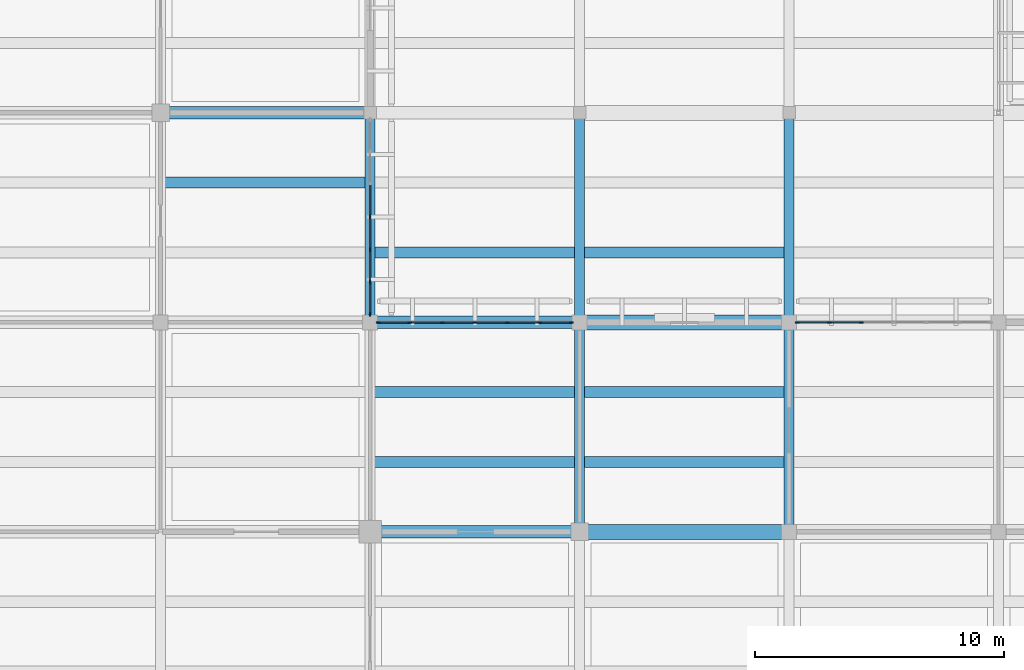
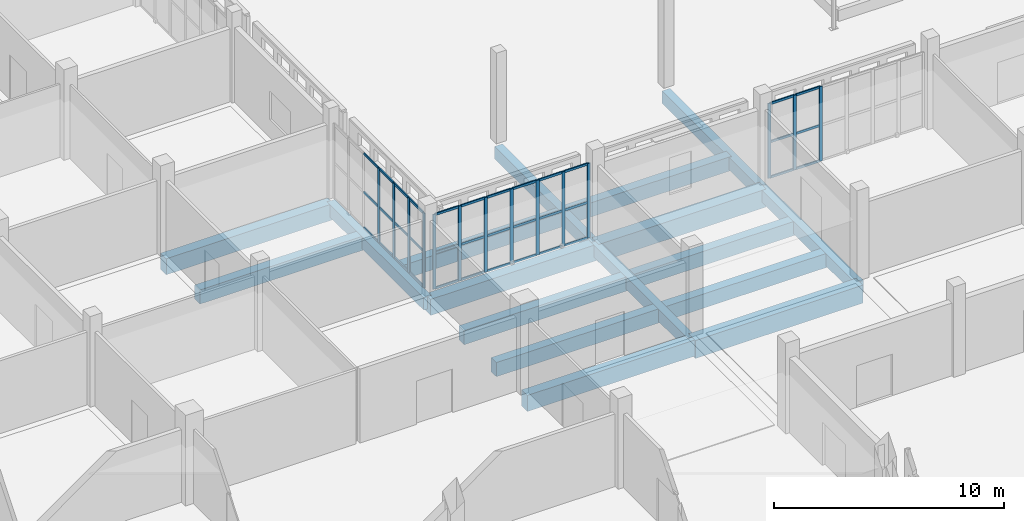
# One storey, part 6 of 129: 50 members, 17 beams, 3 elements without a shape of their own.
"""IFC4 building model written with IfcOpenShell, lengths in metres."""

import ifcopenshell
import ifcopenshell.guid

model = None  # the IFC model being written
_history = None  # IfcOwnerHistory: only IFC2X3 demands one
_inside = {}  # id of a spatial element -> (the spatial element, [elements in it])
_under = {}  # id of a project, library or spatial element -> (it, [spatial elements below it])
_declared = {}  # id of a project -> (the project, [libraries it declares])
_typed = {}  # id of a type object -> (the type object, [elements of that type])
_made_of = {}  # id of a material, layer set ... -> (it, [elements and type objects made of it])


def new_model(schema):
    """Start an empty IFC model of exactly this schema.

    Asked for "IFC4X3", IfcOpenShell would pick the latest addendum, in which some entities
    have other attributes; the version numbers below select the first issue.
    IFC2X3 requires an IfcOwnerHistory on every rooted entity: one is made here for all.
    """
    global model, _history
    if schema == "IFC4X3":
        model = ifcopenshell.file(schema_version=(4, 3, 0, 0))
    else:
        model = ifcopenshell.file(schema=schema)
    _inside.clear()
    _under.clear()
    _declared.clear()
    _typed.clear()
    _made_of.clear()
    _history = None
    if model.schema == "IFC2X3":
        org = make("IfcOrganization", Name="unknown")
        user = make(
            "IfcPersonAndOrganization",
            ThePerson=make("IfcPerson", FamilyName="unknown"),
            TheOrganization=org,
        )
        app = make(
            "IfcApplication",
            ApplicationDeveloper=org,
            Version="unknown",
            ApplicationFullName="unknown",
            ApplicationIdentifier="unknown",
        )
        _history = make(
            "IfcOwnerHistory",
            OwningUser=user,
            OwningApplication=app,
            ChangeAction="ADDED",
            CreationDate=0,
        )
    return model


def make(cls, **values):
    """One entity of the class cls with the attributes given. An attribute that is None is left unset."""
    return model.create_entity(
        cls, **{name: value for name, value in values.items() if value is not None}
    )


def rooted(cls, **values):
    """An entity with a GlobalId (a new one), such as an element, a storey or a relation."""
    return make(cls, GlobalId=ifcopenshell.guid.new(), OwnerHistory=_history, **values)


def si_unit(unit_type, name, prefix=None):
    """IfcSIUnit, for example si_unit("LENGTHUNIT", "METRE", prefix="MILLI")."""
    return make("IfcSIUnit", UnitType=unit_type, Prefix=prefix, Name=name)


def assignment(units):
    """IfcUnitAssignment: the units of a project."""
    return None if units is None else make("IfcUnitAssignment", Units=units)


def point(xyz):
    """IfcCartesianPoint."""
    return None if xyz is None else make("IfcCartesianPoint", Coordinates=xyz)


def direction(xyz):
    """IfcDirection."""
    return None if xyz is None else make("IfcDirection", DirectionRatios=xyz)


def frame(location, z_axis=None, x_axis=None):
    """IfcAxis2Placement3D, a coordinate frame: its origin and axes. An axis left out is left unset."""
    return make(
        "IfcAxis2Placement3D",
        Location=point(location),
        Axis=direction(z_axis),
        RefDirection=direction(x_axis),
    )


def frame_2d(location, x_axis=None):
    """IfcAxis2Placement2D, a coordinate frame in the plane: its origin and x axis."""
    return make(
        "IfcAxis2Placement2D", Location=point(location), RefDirection=direction(x_axis)
    )


def origin():
    """The frame at (0, 0, 0) with its axes left unset."""
    return frame((0.0, 0.0, 0.0))


def origin_2d():
    """The frame at (0, 0) in the plane with its x axis left unset."""
    return frame_2d((0.0, 0.0))


def place(relative_to, where):
    """IfcLocalPlacement: puts the frame where relative to a parent placement (None: the world)."""
    return make(
        "IfcLocalPlacement", PlacementRelTo=relative_to, RelativePlacement=where
    )


def context(
    kind, dimensions, precision=None, world=None, true_north=None, identifier=None
):
    """IfcGeometricRepresentationContext, for example the 3D "Model" context."""
    return make(
        "IfcGeometricRepresentationContext",
        ContextIdentifier=identifier,
        ContextType=kind,
        CoordinateSpaceDimension=dimensions,
        Precision=precision,
        WorldCoordinateSystem=world,
        TrueNorth=true_north,
    )


def subcontext(parent, identifier, kind, view, scale=None):
    """IfcGeometricRepresentationSubContext, for example "Body" below "Model"."""
    return make(
        "IfcGeometricRepresentationSubContext",
        ContextIdentifier=identifier,
        ContextType=kind,
        ParentContext=parent,
        TargetScale=scale,
        TargetView=view,
    )


def project(units=None, contexts=None):
    """IfcProject with its units and contexts."""
    return rooted(
        "IfcProject",
        Name="project",
        RepresentationContexts=contexts,
        UnitsInContext=assignment(units),
    )


def spatial(cls, under=None, at=None, **own):
    """A site, building, storey or space (cls), placed at a placement, below another one or the project."""
    s = rooted(cls, ObjectPlacement=at, **own)
    if under is not None:
        _under.setdefault(under.id(), (under, []))[1].append(s)
    return s


def profile(cls, at=None, kind="AREA", **sizes):
    """A parametric profile (cls). Its sizes go by their IFC names, for example OverallWidth=200.0."""
    return make(cls, ProfileType=kind, Position=at, **sizes)


def rectangle(**sizes):
    """IfcRectangleProfileDef."""
    return profile("IfcRectangleProfileDef", **sizes)


def extrude(swept, where, along, depth):
    """IfcExtrudedAreaSolid: the profile swept, set in the frame where, extruded along a direction by depth."""
    return make(
        "IfcExtrudedAreaSolid",
        SweptArea=swept,
        Position=where,
        ExtrudedDirection=direction(along),
        Depth=depth,
    )


def shape(context_of_items, identifier, shape_type, items):
    """IfcShapeRepresentation: the items that make up one representation, for example the "Body"."""
    return make(
        "IfcShapeRepresentation",
        ContextOfItems=context_of_items,
        RepresentationIdentifier=identifier,
        RepresentationType=shape_type,
        Items=items,
    )


def material(Name=None, Category=None):
    """IfcMaterial."""
    return make("IfcMaterial", Name=Name, Category=Category)


def layer(
    of_material, thickness, ventilated=None, Name=None, Category=None, Priority=None
):
    """IfcMaterialLayer: one layer of a wall or slab, of a material (None: an air gap)."""
    return make(
        "IfcMaterialLayer",
        Material=of_material,
        LayerThickness=thickness,
        IsVentilated=ventilated,
        Name=Name,
        Category=Category,
        Priority=Priority,
    )


def layer_set(layers, Name=None):
    """IfcMaterialLayerSet."""
    return make("IfcMaterialLayerSet", MaterialLayers=layers, LayerSetName=Name)


def material_profile(
    of_material, cross_section, Name=None, Category=None, Priority=None
):
    """IfcMaterialProfile: a cross section and its material."""
    return make(
        "IfcMaterialProfile",
        Name=Name,
        Material=of_material,
        Profile=cross_section,
        Priority=Priority,
        Category=Category,
    )


def profile_set(profiles, Name=None, composite=None):
    """IfcMaterialProfileSet."""
    return make(
        "IfcMaterialProfileSet",
        Name=Name,
        MaterialProfiles=profiles,
        CompositeProfile=composite,
    )


def made_of(thing, what):
    """Note that an element or type object is made of a material, layer set ...; save() writes the relation."""
    if what is not None:
        _made_of.setdefault(what.id(), (what, []))[1].append(thing)
    return thing


def type_object(cls, material=None, **own):
    """A type object (cls), such as IfcWallType, which elements share."""
    return made_of(rooted(cls, **own), material)


def element(
    cls,
    number,
    at=None,
    inside=None,
    cuts=None,
    type_object=None,
    material=None,
    context=None,
    identifier="Body",
    shape_type=None,
    held_by="IfcProductDefinitionShape",
    body=None,
    shapes=None,
    **own,
):
    """One element of the class cls, such as IfcWall. Its Tag is "e" and its number.

    at: its placement. inside: the storey or other place that contains it. cuts: it is an
    opening in that element (IfcRelVoidsElement). A single representation is given by context,
    identifier, shape_type and body (its items); several are given by shapes. held_by: the class
    of the entity that holds the representations. save() writes the other relations.
    """
    e = rooted(cls, Tag="e%d" % number, ObjectPlacement=at, **own)
    if body is not None:
        shapes = [shape(context, identifier, shape_type, body)]
    if shapes is not None:
        e.Representation = make(held_by, Representations=shapes)
    if inside is not None:
        _inside.setdefault(inside.id(), (inside, []))[1].append(e)
    if cuts is not None:
        rooted(
            "IfcRelVoidsElement", RelatingBuildingElement=cuts, RelatedOpeningElement=e
        )
    if type_object is not None:
        _typed.setdefault(type_object.id(), (type_object, []))[1].append(e)
    return made_of(e, material)


def aggregate(whole, parts):
    """IfcRelAggregates: a whole, such as a stair, and the parts it consists of."""
    return rooted("IfcRelAggregates", RelatingObject=whole, RelatedObjects=parts)


def save(model, path):
    """Write the relations noted so far, then the file.

    IfcRelAggregates (storeys below a building ...), IfcRelContainedInSpatialStructure (elements
    in a storey), IfcRelDefinesByType, IfcRelAssociatesMaterial and IfcRelDeclares: one each for
    every whole, place, type object, material and project.
    """
    for whole, parts in _under.values():
        aggregate(whole, parts)
    for where, things in _inside.values():
        rooted(
            "IfcRelContainedInSpatialStructure",
            RelatedElements=things,
            RelatingStructure=where,
        )
    for kind, things in _typed.values():
        rooted("IfcRelDefinesByType", RelatedObjects=things, RelatingType=kind)
    for what, things in _made_of.values():
        rooted("IfcRelAssociatesMaterial", RelatedObjects=things, RelatingMaterial=what)
    for by, libraries in _declared.values():
        rooted("IfcRelDeclares", RelatingContext=by, RelatedDefinitions=libraries)
    model.write(path)


model = new_model("IFC4")

# Units and contexts
model_context = context("Model", 3, precision=1e-05, world=origin(), true_north=direction((0.0, 1.0)))
body_context = subcontext(model_context, "Body", "Model", "MODEL_VIEW")
ifc_project = project(units=[si_unit("LENGTHUNIT", "METRE"), si_unit("AREAUNIT", "SQUARE_METRE"), si_unit("VOLUMEUNIT", "CUBIC_METRE"), si_unit("PLANEANGLEUNIT", "RADIAN"), si_unit("MASSUNIT", "GRAM", prefix="KILO")], contexts=[model_context])

# Site, building, storey
site_placement = place(None, origin())
site = spatial("IfcSite", under=ifc_project, at=site_placement, CompositionType="ELEMENT")
building_placement = place(site_placement, origin())
building = spatial("IfcBuilding", under=site, at=building_placement, Name="Varnapada Polytechnic", CompositionType="ELEMENT")
storey_placement = place(building_placement, origin())
storey = spatial("IfcBuildingStorey", under=building, at=storey_placement, Name="L00", CompositionType="ELEMENT", Elevation=0.0)

# Beams
ifc_material_1 = material(Name="Concrete C40/50", Category="concrete")
ifc_material_profile_1 = material_profile(ifc_material_1, rectangle(XDim=0.449951171875, YDim=0.75, at=origin_2d()), Name="RC 450x750")
ifc_profile_set_1 = profile_set([ifc_material_profile_1], Name="Concrete C40/50")
beam_type_1 = type_object("IfcBeamType", Name="Basement/podium secondary beam BB-01 (RC 450x750)", PredefinedType="BEAM", material=ifc_profile_set_1)
for number, where, z_axis, x_axis, name in (
    (1, (33.679931640625, 47.60009765625, -0.675048828125), (1.0, 0.0, 0.0), (0.0, 1.0, 0.0), "L00 floor joist 5/6.2"),
    (2, (42.080078125, 36.39990234375, -0.675048828125), (1.0, 0.0, 0.0), (0.0, 1.0, 0.0), "L00 floor joist 6/5.1"),
    (3, (42.080078125, 39.199951171875, -0.675048828125), (1.0, 0.0, 0.0), (0.0, 1.0, 0.0), "L00 floor joist 6/5.2"),
    (4, (42.080078125, 44.800048828125, -0.675048828125), (1.0, 0.0, 0.0), (0.0, 1.0, 0.0), "L00 floor joist 6/6.1"),
    (5, (50.47998046875, 36.39990234375, -0.675048828125), (1.0, 0.0, 0.0), (0.0, 1.0, 0.0), "L00 floor joist 7/5.1"),
    (6, (50.47998046875, 39.199951171875, -0.675048828125), (1.0, 0.0, 0.0), (0.0, 1.0, 0.0), "L00 floor joist 7/5.2"),
    (7, (50.47998046875, 44.800048828125, -0.655029296875), (1.0, 0.0, 0.0), (0.0, 1.0, 0.0), "L00 floor joist 7/6.1"),
):
    element("IfcBeam", number, at=place(storey_placement, frame(where, z_axis=z_axis, x_axis=x_axis)), inside=storey, type_object=beam_type_1, Name=name, PredefinedType="BEAM", context=body_context, shape_type="SweptSolid", body=[
        extrude(rectangle(XDim=0.449951171875, YDim=0.75, at=origin_2d()), origin(), (0.0, 0.0, 1.0), 8.239990234375),
    ])

# Curtain wall, members
ifc_material_2 = material(Name="Double low-E laminated glass", Category="glass")
ifc_layer = layer(ifc_material_2, 0.159912109375)
ifc_layer_set = layer_set([ifc_layer], Name="Double low-E laminated glass")
curtain_wall_type = type_object("IfcCurtainWallType", Name="Curtain Wall CW-01", PredefinedType="NOTDEFINED", material=ifc_layer_set)
curtain_wall_1_placement = place(storey_placement, origin())
curtain_wall_1 = element("IfcCurtainWall", 8, at=curtain_wall_1_placement, inside=storey, type_object=curtain_wall_type, Name="L00 unitised curtain wall CW-01 (1)", PredefinedType="NOTDEFINED")
ifc_material_3 = material(Name="Anodised aluminium", Category="aluminium")
ifc_material_profile_2 = material_profile(ifc_material_3, rectangle(XDim=0.06005859375, YDim=0.159912109375, at=origin_2d()), Name="ALU M60x160")
ifc_profile_set_2 = profile_set([ifc_material_profile_2], Name="Anodised aluminium")
member_type_1 = type_object("IfcMemberType", Name="Mullion M-01", PredefinedType="MULLION", material=ifc_profile_set_2)
member_1_placement = place(storey_placement, frame((42.0, 46.22509765625, 0.0), z_axis=(0.0, 0.0, 1.0), x_axis=(1.0, 0.0, 0.0)))
member_1 = element("IfcMember", 9, at=member_1_placement, type_object=member_type_1, Name="CW-01 mullion 4", PredefinedType="MULLION", context=body_context, shape_type="SweptSolid", body=[
    extrude(rectangle(XDim=0.06005859375, YDim=0.159912109375, at=origin_2d()), origin(), (0.0, 0.0, 1.0), 3.9599609375),
])
member_2_placement = place(storey_placement, frame((42.0, 44.916748046875, 0.0), z_axis=(0.0, 0.0, 1.0), x_axis=(1.0, 0.0, 0.0)))
member_2 = element("IfcMember", 10, at=member_2_placement, type_object=member_type_1, Name="CW-01 mullion 5", PredefinedType="MULLION", context=body_context, shape_type="SweptSolid", body=[
    extrude(rectangle(XDim=0.06005859375, YDim=0.159912109375, at=origin_2d()), origin(), (0.0, 0.0, 1.0), 3.9599609375),
])
member_3_placement = place(storey_placement, frame((42.0, 43.6083984375, 0.0), z_axis=(0.0, 0.0, 1.0), x_axis=(1.0, 0.0, 0.0)))
member_3 = element("IfcMember", 11, at=member_3_placement, type_object=member_type_1, Name="CW-01 mullion 6", PredefinedType="MULLION", context=body_context, shape_type="SweptSolid", body=[
    extrude(rectangle(XDim=0.06005859375, YDim=0.159912109375, at=origin_2d()), origin(), (0.0, 0.0, 1.0), 3.9599609375),
])
member_4_placement = place(storey_placement, frame((42.0, 42.330078125, 0.0), z_axis=(0.0, 0.0, 1.0), x_axis=(1.0, 0.0, 0.0)))
member_4 = element("IfcMember", 12, at=member_4_placement, type_object=member_type_1, Name="CW-01 mullion 7", PredefinedType="MULLION", context=body_context, shape_type="SweptSolid", body=[
    extrude(rectangle(XDim=0.06005859375, YDim=0.159912109375, at=origin_2d()), origin(), (0.0, 0.0, 1.0), 3.9599609375),
])

curtain_wall_2_placement = place(storey_placement, origin())
curtain_wall_2 = element("IfcCurtainWall", 13, at=curtain_wall_2_placement, inside=storey, type_object=curtain_wall_type, Name="L00 unitised curtain wall CW-01 (4)", PredefinedType="NOTDEFINED")
member_5_placement = place(storey_placement, frame((42.330078125, 42.0, 0.0), z_axis=(0.0, 0.0, 1.0), x_axis=(0.0, 1.0, 0.0)))
member_5 = element("IfcMember", 14, at=member_5_placement, type_object=member_type_1, Name="CW-01 mullion 1", PredefinedType="MULLION", context=body_context, shape_type="SweptSolid", body=[
    extrude(rectangle(XDim=0.06005859375, YDim=0.159912109375, at=origin_2d()), origin(), (0.0, 0.0, 1.0), 3.9599609375),
])
member_6_placement = place(storey_placement, frame((43.60009765625, 42.0, 0.0), z_axis=(0.0, 0.0, 1.0), x_axis=(0.0, 1.0, 0.0)))
member_6 = element("IfcMember", 15, at=member_6_placement, type_object=member_type_1, Name="CW-01 mullion 2", PredefinedType="MULLION", context=body_context, shape_type="SweptSolid", body=[
    extrude(rectangle(XDim=0.06005859375, YDim=0.159912109375, at=origin_2d()), origin(), (0.0, 0.0, 1.0), 3.9599609375),
])
member_7_placement = place(storey_placement, frame((44.89990234375, 42.0, 0.0), z_axis=(0.0, 0.0, 1.0), x_axis=(0.0, 1.0, 0.0)))
member_7 = element("IfcMember", 16, at=member_7_placement, type_object=member_type_1, Name="CW-01 mullion 3", PredefinedType="MULLION", context=body_context, shape_type="SweptSolid", body=[
    extrude(rectangle(XDim=0.06005859375, YDim=0.159912109375, at=origin_2d()), origin(), (0.0, 0.0, 1.0), 3.9599609375),
])
member_8_placement = place(storey_placement, frame((46.199951171875, 42.0, 0.0), z_axis=(0.0, 0.0, 1.0), x_axis=(0.0, 1.0, 0.0)))
member_8 = element("IfcMember", 17, at=member_8_placement, type_object=member_type_1, Name="CW-01 mullion 4", PredefinedType="MULLION", context=body_context, shape_type="SweptSolid", body=[
    extrude(rectangle(XDim=0.06005859375, YDim=0.159912109375, at=origin_2d()), origin(), (0.0, 0.0, 1.0), 3.9599609375),
])
member_9_placement = place(storey_placement, frame((47.5, 42.0, 0.0), z_axis=(0.0, 0.0, 1.0), x_axis=(0.0, 1.0, 0.0)))
member_9 = element("IfcMember", 18, at=member_9_placement, type_object=member_type_1, Name="CW-01 mullion 5", PredefinedType="MULLION", context=body_context, shape_type="SweptSolid", body=[
    extrude(rectangle(XDim=0.06005859375, YDim=0.159912109375, at=origin_2d()), origin(), (0.0, 0.0, 1.0), 3.9599609375),
])
member_10_placement = place(storey_placement, frame((48.800048828125, 42.0, 0.0), z_axis=(0.0, 0.0, 1.0), x_axis=(0.0, 1.0, 0.0)))
member_10 = element("IfcMember", 19, at=member_10_placement, type_object=member_type_1, Name="CW-01 mullion 6", PredefinedType="MULLION", context=body_context, shape_type="SweptSolid", body=[
    extrude(rectangle(XDim=0.06005859375, YDim=0.159912109375, at=origin_2d()), origin(), (0.0, 0.0, 1.0), 3.9599609375),
])
member_11_placement = place(storey_placement, frame((50.070068359375, 42.0, 0.0), z_axis=(0.0, 0.0, 1.0), x_axis=(0.0, 1.0, 0.0)))
member_11 = element("IfcMember", 20, at=member_11_placement, type_object=member_type_1, Name="CW-01 mullion 7", PredefinedType="MULLION", context=body_context, shape_type="SweptSolid", body=[
    extrude(rectangle(XDim=0.06005859375, YDim=0.159912109375, at=origin_2d()), origin(), (0.0, 0.0, 1.0), 3.9599609375),
])

curtain_wall_3_placement = place(storey_placement, origin())
curtain_wall_3 = element("IfcCurtainWall", 21, at=curtain_wall_3_placement, inside=storey, type_object=curtain_wall_type, Name="L00 unitised curtain wall CW-01 (6)", PredefinedType="NOTDEFINED")
member_12_placement = place(storey_placement, frame((59.1298828125, 42.0, 0.0), z_axis=(0.0, 0.0, 1.0), x_axis=(0.0, 1.0, 0.0)))
member_12 = element("IfcMember", 22, at=member_12_placement, type_object=member_type_1, Name="CW-01 mullion 1", PredefinedType="MULLION", context=body_context, shape_type="SweptSolid", body=[
    extrude(rectangle(XDim=0.06005859375, YDim=0.159912109375, at=origin_2d()), origin(), (0.0, 0.0, 1.0), 3.9599609375),
])
member_13_placement = place(storey_placement, frame((60.39990234375, 42.0, 0.0), z_axis=(0.0, 0.0, 1.0), x_axis=(0.0, 1.0, 0.0)))
member_13 = element("IfcMember", 23, at=member_13_placement, type_object=member_type_1, Name="CW-01 mullion 2", PredefinedType="MULLION", context=body_context, shape_type="SweptSolid", body=[
    extrude(rectangle(XDim=0.06005859375, YDim=0.159912109375, at=origin_2d()), origin(), (0.0, 0.0, 1.0), 3.9599609375),
])
member_14_placement = place(storey_placement, frame((61.699951171875, 42.0, 0.0), z_axis=(0.0, 0.0, 1.0), x_axis=(0.0, 1.0, 0.0)))
member_14 = element("IfcMember", 24, at=member_14_placement, type_object=member_type_1, Name="CW-01 mullion 3", PredefinedType="MULLION", context=body_context, shape_type="SweptSolid", body=[
    extrude(rectangle(XDim=0.06005859375, YDim=0.159912109375, at=origin_2d()), origin(), (0.0, 0.0, 1.0), 3.9599609375),
])

# Beams
ifc_material_profile_3 = material_profile(ifc_material_1, rectangle(XDim=0.39990234375, YDim=0.64990234375, at=origin_2d()), Name="RC 400x650")
ifc_profile_set_3 = profile_set([ifc_material_profile_3], Name="Concrete C40/50")
beam_type_2 = type_object("IfcBeamType", Name="Podium framing beam BB-02 (RC 400x650)", PredefinedType="BEAM", material=ifc_profile_set_3)
for number, where, z_axis, x_axis, name in (
    (25, (42.0, 42.0, -0.625), (0.0, 1.0, 0.0), (-1.0, 0.0, 0.0), "L00 beam Y 6-7 at X6"),
    (26, (50.39990234375, 33.60009765625, -0.625), (0.0, 1.0, 0.0), (-1.0, 0.0, 0.0), "L00 beam Y 5-6 at X7"),
    (27, (50.39990234375, 42.0, -0.625), (0.0, 1.0, 0.0), (-1.0, 0.0, 0.0), "L00 beam Y 6-7 at X7"),
    (28, (58.800048828125, 33.60009765625, -0.625), (0.0, 1.0, 0.0), (-1.0, 0.0, 0.0), "L00 beam Y 5-6 at X8"),
    (29, (58.800048828125, 42.0, -0.625), (0.0, 1.0, 0.0), (-1.0, 0.0, 0.0), "L00 beam Y 6-7 at X8"),
):
    element("IfcBeam", number, at=place(storey_placement, frame(where, z_axis=z_axis, x_axis=x_axis)), inside=storey, type_object=beam_type_2, Name=name, PredefinedType="BEAM", context=body_context, shape_type="SweptSolid", body=[
        extrude(rectangle(XDim=0.39990234375, YDim=0.64990234375, at=origin_2d()), origin(), (0.0, 0.0, 1.0), 8.39990234375),
    ])
ifc_material_profile_4 = material_profile(ifc_material_1, rectangle(XDim=0.5, YDim=0.85009765625, at=origin_2d()), Name="RC 500x850")
ifc_profile_set_4 = profile_set([ifc_material_profile_4], Name="Concrete C40/50")
beam_type_3 = type_object("IfcBeamType", Name="Standard podium primary girder BG-02 (RC 500x850)", PredefinedType="T_BEAM", material=ifc_profile_set_4)
for number, where, z_axis, x_axis, name in (
    (30, (33.60009765625, 50.39990234375, -0.72509765625), (1.0, 0.0, 0.0), (0.0, 1.0, 0.0), "L00 beam X 5-6 at Y7"),
    (31, (42.0, 33.60009765625, -0.72509765625), (1.0, 0.0, 0.0), (0.0, 1.0, 0.0), "L00 beam X 6-7 at Y5"),
    (32, (42.0, 42.0, -0.72509765625), (1.0, 0.0, 0.0), (0.0, 1.0, 0.0), "L00 beam X 6-7 at Y6"),
):
    element("IfcBeam", number, at=place(storey_placement, frame(where, z_axis=z_axis, x_axis=x_axis)), inside=storey, type_object=beam_type_3, Name=name, PredefinedType="T_BEAM", context=body_context, shape_type="SweptSolid", body=[
        extrude(rectangle(XDim=0.5, YDim=0.85009765625, at=origin_2d()), origin(), (0.0, 0.0, 1.0), 8.39990234375),
    ])

# Member
ifc_material_profile_5 = material_profile(ifc_material_3, rectangle(XDim=0.06005859375, YDim=0.1201171875, at=origin_2d()), Name="ALU T60x120")
ifc_profile_set_5 = profile_set([ifc_material_profile_5], Name="Anodised aluminium")
member_type_2 = type_object("IfcMemberType", Name="Transom T-01", PredefinedType="USERDEFINED", material=ifc_profile_set_5)
member_15_placement = place(storey_placement, frame((42.0, 47.50341796875, 0.030029296875), z_axis=(0.0, -1.0, 0.0), x_axis=(1.0, 0.0, 0.0)))
member_15 = element("IfcMember", 33, at=member_15_placement, type_object=member_type_2, Name="CW-01 transom 3.1", ObjectType="TRANSOM", PredefinedType="USERDEFINED", context=body_context, shape_type="SweptSolid", body=[
    extrude(rectangle(XDim=0.06005859375, YDim=0.1201171875, at=origin_2d()), origin(), (0.0, 0.0, 1.0), 1.24853515625),
])

member_16_placement = place(storey_placement, frame((42.0, 47.50341796875, 1.90087890625), z_axis=(0.0, -1.0, 0.0), x_axis=(1.0, 0.0, 0.0)))
member_16 = element("IfcMember", 34, at=member_16_placement, type_object=member_type_2, Name="CW-01 transom 3.2", ObjectType="TRANSOM", PredefinedType="USERDEFINED", context=body_context, shape_type="SweptSolid", body=[
    extrude(rectangle(XDim=0.06005859375, YDim=0.1201171875, at=origin_2d()), origin(), (0.0, 0.0, 1.0), 1.24853515625),
])

member_17_placement = place(storey_placement, frame((42.0, 47.50341796875, 3.929931640625), z_axis=(0.0, -1.0, 0.0), x_axis=(1.0, 0.0, 0.0)))
member_17 = element("IfcMember", 35, at=member_17_placement, type_object=member_type_2, Name="CW-01 transom 3.3", ObjectType="TRANSOM", PredefinedType="USERDEFINED", context=body_context, shape_type="SweptSolid", body=[
    extrude(rectangle(XDim=0.06005859375, YDim=0.1201171875, at=origin_2d()), origin(), (0.0, 0.0, 1.0), 1.24853515625),
])

member_18_placement = place(storey_placement, frame((42.0, 46.195068359375, 0.030029296875), z_axis=(0.0, -1.0, 0.0), x_axis=(1.0, 0.0, 0.0)))
member_18 = element("IfcMember", 36, at=member_18_placement, type_object=member_type_2, Name="CW-01 transom 4.1", ObjectType="TRANSOM", PredefinedType="USERDEFINED", context=body_context, shape_type="SweptSolid", body=[
    extrude(rectangle(XDim=0.06005859375, YDim=0.1201171875, at=origin_2d()), origin(), (0.0, 0.0, 1.0), 1.248291015625),
])

member_19_placement = place(storey_placement, frame((42.0, 46.195068359375, 1.90087890625), z_axis=(0.0, -1.0, 0.0), x_axis=(1.0, 0.0, 0.0)))
member_19 = element("IfcMember", 37, at=member_19_placement, type_object=member_type_2, Name="CW-01 transom 4.2", ObjectType="TRANSOM", PredefinedType="USERDEFINED", context=body_context, shape_type="SweptSolid", body=[
    extrude(rectangle(XDim=0.06005859375, YDim=0.1201171875, at=origin_2d()), origin(), (0.0, 0.0, 1.0), 1.248291015625),
])

member_20_placement = place(storey_placement, frame((42.0, 46.195068359375, 3.929931640625), z_axis=(0.0, -1.0, 0.0), x_axis=(1.0, 0.0, 0.0)))
member_20 = element("IfcMember", 38, at=member_20_placement, type_object=member_type_2, Name="CW-01 transom 4.3", ObjectType="TRANSOM", PredefinedType="USERDEFINED", context=body_context, shape_type="SweptSolid", body=[
    extrude(rectangle(XDim=0.06005859375, YDim=0.1201171875, at=origin_2d()), origin(), (0.0, 0.0, 1.0), 1.248291015625),
])

member_21_placement = place(storey_placement, frame((42.0, 44.88671875, 0.030029296875), z_axis=(0.0, -1.0, 0.0), x_axis=(1.0, 0.0, 0.0)))
member_21 = element("IfcMember", 39, at=member_21_placement, type_object=member_type_2, Name="CW-01 transom 5.1", ObjectType="TRANSOM", PredefinedType="USERDEFINED", context=body_context, shape_type="SweptSolid", body=[
    extrude(rectangle(XDim=0.06005859375, YDim=0.1201171875, at=origin_2d()), origin(), (0.0, 0.0, 1.0), 1.248291015625),
])

member_22_placement = place(storey_placement, frame((42.0, 44.88671875, 1.90087890625), z_axis=(0.0, -1.0, 0.0), x_axis=(1.0, 0.0, 0.0)))
member_22 = element("IfcMember", 40, at=member_22_placement, type_object=member_type_2, Name="CW-01 transom 5.2", ObjectType="TRANSOM", PredefinedType="USERDEFINED", context=body_context, shape_type="SweptSolid", body=[
    extrude(rectangle(XDim=0.06005859375, YDim=0.1201171875, at=origin_2d()), origin(), (0.0, 0.0, 1.0), 1.248291015625),
])

member_23_placement = place(storey_placement, frame((42.0, 44.88671875, 3.929931640625), z_axis=(0.0, -1.0, 0.0), x_axis=(1.0, 0.0, 0.0)))
member_23 = element("IfcMember", 41, at=member_23_placement, type_object=member_type_2, Name="CW-01 transom 5.3", ObjectType="TRANSOM", PredefinedType="USERDEFINED", context=body_context, shape_type="SweptSolid", body=[
    extrude(rectangle(XDim=0.06005859375, YDim=0.1201171875, at=origin_2d()), origin(), (0.0, 0.0, 1.0), 1.248291015625),
])

member_24_placement = place(storey_placement, frame((42.0, 43.578369140625, 0.030029296875), z_axis=(0.0, -1.0, 0.0), x_axis=(1.0, 0.0, 0.0)))
member_24 = element("IfcMember", 42, at=member_24_placement, type_object=member_type_2, Name="CW-01 transom 6.1", ObjectType="TRANSOM", PredefinedType="USERDEFINED", context=body_context, shape_type="SweptSolid", body=[
    extrude(rectangle(XDim=0.06005859375, YDim=0.1201171875, at=origin_2d()), origin(), (0.0, 0.0, 1.0), 1.21826171875),
])

member_25_placement = place(storey_placement, frame((42.0, 43.578369140625, 1.90087890625), z_axis=(0.0, -1.0, 0.0), x_axis=(1.0, 0.0, 0.0)))
member_25 = element("IfcMember", 43, at=member_25_placement, type_object=member_type_2, Name="CW-01 transom 6.2", ObjectType="TRANSOM", PredefinedType="USERDEFINED", context=body_context, shape_type="SweptSolid", body=[
    extrude(rectangle(XDim=0.06005859375, YDim=0.1201171875, at=origin_2d()), origin(), (0.0, 0.0, 1.0), 1.21826171875),
])

member_26_placement = place(storey_placement, frame((42.0, 43.578369140625, 3.929931640625), z_axis=(0.0, -1.0, 0.0), x_axis=(1.0, 0.0, 0.0)))
member_26 = element("IfcMember", 44, at=member_26_placement, type_object=member_type_2, Name="CW-01 transom 6.3", ObjectType="TRANSOM", PredefinedType="USERDEFINED", context=body_context, shape_type="SweptSolid", body=[
    extrude(rectangle(XDim=0.06005859375, YDim=0.1201171875, at=origin_2d()), origin(), (0.0, 0.0, 1.0), 1.21826171875),
])

aggregate(curtain_wall_1, [member_1, member_2, member_3, member_4, member_15, member_16, member_17, member_18, member_19, member_20, member_21, member_22, member_23, member_24, member_25, member_26])

member_27_placement = place(storey_placement, frame((42.360107421875, 42.0, 0.030029296875), z_axis=(1.0, 0.0, 0.0), x_axis=(0.0, 1.0, 0.0)))
member_27 = element("IfcMember", 45, at=member_27_placement, type_object=member_type_2, Name="CW-01 transom 1.1", ObjectType="TRANSOM", PredefinedType="USERDEFINED", context=body_context, shape_type="SweptSolid", body=[
    extrude(rectangle(XDim=0.06005859375, YDim=0.1201171875, at=origin_2d()), origin(), (0.0, 0.0, 1.0), 1.2099609375),
])

member_28_placement = place(storey_placement, frame((42.360107421875, 42.0, 1.90087890625), z_axis=(1.0, 0.0, 0.0), x_axis=(0.0, 1.0, 0.0)))
member_28 = element("IfcMember", 46, at=member_28_placement, type_object=member_type_2, Name="CW-01 transom 1.2", ObjectType="TRANSOM", PredefinedType="USERDEFINED", context=body_context, shape_type="SweptSolid", body=[
    extrude(rectangle(XDim=0.06005859375, YDim=0.1201171875, at=origin_2d()), origin(), (0.0, 0.0, 1.0), 1.2099609375),
])

member_29_placement = place(storey_placement, frame((42.360107421875, 42.0, 3.929931640625), z_axis=(1.0, 0.0, 0.0), x_axis=(0.0, 1.0, 0.0)))
member_29 = element("IfcMember", 47, at=member_29_placement, type_object=member_type_2, Name="CW-01 transom 1.3", ObjectType="TRANSOM", PredefinedType="USERDEFINED", context=body_context, shape_type="SweptSolid", body=[
    extrude(rectangle(XDim=0.06005859375, YDim=0.1201171875, at=origin_2d()), origin(), (0.0, 0.0, 1.0), 1.2099609375),
])

member_30_placement = place(storey_placement, frame((43.6298828125, 42.0, 0.030029296875), z_axis=(1.0, 0.0, 0.0), x_axis=(0.0, 1.0, 0.0)))
member_30 = element("IfcMember", 48, at=member_30_placement, type_object=member_type_2, Name="CW-01 transom 2.1", ObjectType="TRANSOM", PredefinedType="USERDEFINED", context=body_context, shape_type="SweptSolid", body=[
    extrude(rectangle(XDim=0.06005859375, YDim=0.1201171875, at=origin_2d()), origin(), (0.0, 0.0, 1.0), 1.240234375),
])

member_31_placement = place(storey_placement, frame((43.6298828125, 42.0, 1.90087890625), z_axis=(1.0, 0.0, 0.0), x_axis=(0.0, 1.0, 0.0)))
member_31 = element("IfcMember", 49, at=member_31_placement, type_object=member_type_2, Name="CW-01 transom 2.2", ObjectType="TRANSOM", PredefinedType="USERDEFINED", context=body_context, shape_type="SweptSolid", body=[
    extrude(rectangle(XDim=0.06005859375, YDim=0.1201171875, at=origin_2d()), origin(), (0.0, 0.0, 1.0), 1.240234375),
])

member_32_placement = place(storey_placement, frame((43.6298828125, 42.0, 3.929931640625), z_axis=(1.0, 0.0, 0.0), x_axis=(0.0, 1.0, 0.0)))
member_32 = element("IfcMember", 50, at=member_32_placement, type_object=member_type_2, Name="CW-01 transom 2.3", ObjectType="TRANSOM", PredefinedType="USERDEFINED", context=body_context, shape_type="SweptSolid", body=[
    extrude(rectangle(XDim=0.06005859375, YDim=0.1201171875, at=origin_2d()), origin(), (0.0, 0.0, 1.0), 1.240234375),
])

member_33_placement = place(storey_placement, frame((44.929931640625, 42.0, 0.030029296875), z_axis=(1.0, 0.0, 0.0), x_axis=(0.0, 1.0, 0.0)))
member_33 = element("IfcMember", 51, at=member_33_placement, type_object=member_type_2, Name="CW-01 transom 3.1", ObjectType="TRANSOM", PredefinedType="USERDEFINED", context=body_context, shape_type="SweptSolid", body=[
    extrude(rectangle(XDim=0.06005859375, YDim=0.1201171875, at=origin_2d()), origin(), (0.0, 0.0, 1.0), 1.239990234375),
])

member_34_placement = place(storey_placement, frame((44.929931640625, 42.0, 1.90087890625), z_axis=(1.0, 0.0, 0.0), x_axis=(0.0, 1.0, 0.0)))
member_34 = element("IfcMember", 52, at=member_34_placement, type_object=member_type_2, Name="CW-01 transom 3.2", ObjectType="TRANSOM", PredefinedType="USERDEFINED", context=body_context, shape_type="SweptSolid", body=[
    extrude(rectangle(XDim=0.06005859375, YDim=0.1201171875, at=origin_2d()), origin(), (0.0, 0.0, 1.0), 1.239990234375),
])

member_35_placement = place(storey_placement, frame((44.929931640625, 42.0, 3.929931640625), z_axis=(1.0, 0.0, 0.0), x_axis=(0.0, 1.0, 0.0)))
member_35 = element("IfcMember", 53, at=member_35_placement, type_object=member_type_2, Name="CW-01 transom 3.3", ObjectType="TRANSOM", PredefinedType="USERDEFINED", context=body_context, shape_type="SweptSolid", body=[
    extrude(rectangle(XDim=0.06005859375, YDim=0.1201171875, at=origin_2d()), origin(), (0.0, 0.0, 1.0), 1.239990234375),
])

member_36_placement = place(storey_placement, frame((46.22998046875, 42.0, 0.030029296875), z_axis=(1.0, 0.0, 0.0), x_axis=(0.0, 1.0, 0.0)))
member_36 = element("IfcMember", 54, at=member_36_placement, type_object=member_type_2, Name="CW-01 transom 4.1", ObjectType="TRANSOM", PredefinedType="USERDEFINED", context=body_context, shape_type="SweptSolid", body=[
    extrude(rectangle(XDim=0.06005859375, YDim=0.1201171875, at=origin_2d()), origin(), (0.0, 0.0, 1.0), 1.239990234375),
])

member_37_placement = place(storey_placement, frame((46.22998046875, 42.0, 1.90087890625), z_axis=(1.0, 0.0, 0.0), x_axis=(0.0, 1.0, 0.0)))
member_37 = element("IfcMember", 55, at=member_37_placement, type_object=member_type_2, Name="CW-01 transom 4.2", ObjectType="TRANSOM", PredefinedType="USERDEFINED", context=body_context, shape_type="SweptSolid", body=[
    extrude(rectangle(XDim=0.06005859375, YDim=0.1201171875, at=origin_2d()), origin(), (0.0, 0.0, 1.0), 1.239990234375),
])

member_38_placement = place(storey_placement, frame((46.22998046875, 42.0, 3.929931640625), z_axis=(1.0, 0.0, 0.0), x_axis=(0.0, 1.0, 0.0)))
member_38 = element("IfcMember", 56, at=member_38_placement, type_object=member_type_2, Name="CW-01 transom 4.3", ObjectType="TRANSOM", PredefinedType="USERDEFINED", context=body_context, shape_type="SweptSolid", body=[
    extrude(rectangle(XDim=0.06005859375, YDim=0.1201171875, at=origin_2d()), origin(), (0.0, 0.0, 1.0), 1.239990234375),
])

member_39_placement = place(storey_placement, frame((47.530029296875, 42.0, 0.030029296875), z_axis=(1.0, 0.0, 0.0), x_axis=(0.0, 1.0, 0.0)))
member_39 = element("IfcMember", 57, at=member_39_placement, type_object=member_type_2, Name="CW-01 transom 5.1", ObjectType="TRANSOM", PredefinedType="USERDEFINED", context=body_context, shape_type="SweptSolid", body=[
    extrude(rectangle(XDim=0.06005859375, YDim=0.1201171875, at=origin_2d()), origin(), (0.0, 0.0, 1.0), 1.239990234375),
])

member_40_placement = place(storey_placement, frame((47.530029296875, 42.0, 1.90087890625), z_axis=(1.0, 0.0, 0.0), x_axis=(0.0, 1.0, 0.0)))
member_40 = element("IfcMember", 58, at=member_40_placement, type_object=member_type_2, Name="CW-01 transom 5.2", ObjectType="TRANSOM", PredefinedType="USERDEFINED", context=body_context, shape_type="SweptSolid", body=[
    extrude(rectangle(XDim=0.06005859375, YDim=0.1201171875, at=origin_2d()), origin(), (0.0, 0.0, 1.0), 1.239990234375),
])

member_41_placement = place(storey_placement, frame((47.530029296875, 42.0, 3.929931640625), z_axis=(1.0, 0.0, 0.0), x_axis=(0.0, 1.0, 0.0)))
member_41 = element("IfcMember", 59, at=member_41_placement, type_object=member_type_2, Name="CW-01 transom 5.3", ObjectType="TRANSOM", PredefinedType="USERDEFINED", context=body_context, shape_type="SweptSolid", body=[
    extrude(rectangle(XDim=0.06005859375, YDim=0.1201171875, at=origin_2d()), origin(), (0.0, 0.0, 1.0), 1.239990234375),
])

member_42_placement = place(storey_placement, frame((48.830078125, 42.0, 0.030029296875), z_axis=(1.0, 0.0, 0.0), x_axis=(0.0, 1.0, 0.0)))
member_42 = element("IfcMember", 60, at=member_42_placement, type_object=member_type_2, Name="CW-01 transom 6.1", ObjectType="TRANSOM", PredefinedType="USERDEFINED", context=body_context, shape_type="SweptSolid", body=[
    extrude(rectangle(XDim=0.06005859375, YDim=0.1201171875, at=origin_2d()), origin(), (0.0, 0.0, 1.0), 1.2099609375),
])

member_43_placement = place(storey_placement, frame((48.830078125, 42.0, 1.90087890625), z_axis=(1.0, 0.0, 0.0), x_axis=(0.0, 1.0, 0.0)))
member_43 = element("IfcMember", 61, at=member_43_placement, type_object=member_type_2, Name="CW-01 transom 6.2", ObjectType="TRANSOM", PredefinedType="USERDEFINED", context=body_context, shape_type="SweptSolid", body=[
    extrude(rectangle(XDim=0.06005859375, YDim=0.1201171875, at=origin_2d()), origin(), (0.0, 0.0, 1.0), 1.2099609375),
])

member_44_placement = place(storey_placement, frame((48.830078125, 42.0, 3.929931640625), z_axis=(1.0, 0.0, 0.0), x_axis=(0.0, 1.0, 0.0)))
member_44 = element("IfcMember", 62, at=member_44_placement, type_object=member_type_2, Name="CW-01 transom 6.3", ObjectType="TRANSOM", PredefinedType="USERDEFINED", context=body_context, shape_type="SweptSolid", body=[
    extrude(rectangle(XDim=0.06005859375, YDim=0.1201171875, at=origin_2d()), origin(), (0.0, 0.0, 1.0), 1.2099609375),
])

aggregate(curtain_wall_2, [member_5, member_6, member_7, member_8, member_9, member_10, member_11, member_27, member_28, member_29, member_30, member_31, member_32, member_33, member_34, member_35, member_36, member_37, member_38, member_39, member_40, member_41, member_42, member_43, member_44])

member_45_placement = place(storey_placement, frame((59.159912109375, 42.0, 0.030029296875), z_axis=(1.0, 0.0, 0.0), x_axis=(0.0, 1.0, 0.0)))
member_45 = element("IfcMember", 63, at=member_45_placement, type_object=member_type_2, Name="CW-01 transom 1.1", ObjectType="TRANSOM", PredefinedType="USERDEFINED", context=body_context, shape_type="SweptSolid", body=[
    extrude(rectangle(XDim=0.06005859375, YDim=0.1201171875, at=origin_2d()), origin(), (0.0, 0.0, 1.0), 1.210205078125),
])

member_46_placement = place(storey_placement, frame((59.159912109375, 42.0, 1.90087890625), z_axis=(1.0, 0.0, 0.0), x_axis=(0.0, 1.0, 0.0)))
member_46 = element("IfcMember", 64, at=member_46_placement, type_object=member_type_2, Name="CW-01 transom 1.2", ObjectType="TRANSOM", PredefinedType="USERDEFINED", context=body_context, shape_type="SweptSolid", body=[
    extrude(rectangle(XDim=0.06005859375, YDim=0.1201171875, at=origin_2d()), origin(), (0.0, 0.0, 1.0), 1.210205078125),
])

member_47_placement = place(storey_placement, frame((59.159912109375, 42.0, 3.929931640625), z_axis=(1.0, 0.0, 0.0), x_axis=(0.0, 1.0, 0.0)))
member_47 = element("IfcMember", 65, at=member_47_placement, type_object=member_type_2, Name="CW-01 transom 1.3", ObjectType="TRANSOM", PredefinedType="USERDEFINED", context=body_context, shape_type="SweptSolid", body=[
    extrude(rectangle(XDim=0.06005859375, YDim=0.1201171875, at=origin_2d()), origin(), (0.0, 0.0, 1.0), 1.210205078125),
])

member_48_placement = place(storey_placement, frame((60.429931640625, 42.0, 0.030029296875), z_axis=(1.0, 0.0, 0.0), x_axis=(0.0, 1.0, 0.0)))
member_48 = element("IfcMember", 66, at=member_48_placement, type_object=member_type_2, Name="CW-01 transom 2.1", ObjectType="TRANSOM", PredefinedType="USERDEFINED", context=body_context, shape_type="SweptSolid", body=[
    extrude(rectangle(XDim=0.06005859375, YDim=0.1201171875, at=origin_2d()), origin(), (0.0, 0.0, 1.0), 1.239990234375),
])

member_49_placement = place(storey_placement, frame((60.429931640625, 42.0, 1.90087890625), z_axis=(1.0, 0.0, 0.0), x_axis=(0.0, 1.0, 0.0)))
member_49 = element("IfcMember", 67, at=member_49_placement, type_object=member_type_2, Name="CW-01 transom 2.2", ObjectType="TRANSOM", PredefinedType="USERDEFINED", context=body_context, shape_type="SweptSolid", body=[
    extrude(rectangle(XDim=0.06005859375, YDim=0.1201171875, at=origin_2d()), origin(), (0.0, 0.0, 1.0), 1.239990234375),
])

member_50_placement = place(storey_placement, frame((60.429931640625, 42.0, 3.929931640625), z_axis=(1.0, 0.0, 0.0), x_axis=(0.0, 1.0, 0.0)))
member_50 = element("IfcMember", 68, at=member_50_placement, type_object=member_type_2, Name="CW-01 transom 2.3", ObjectType="TRANSOM", PredefinedType="USERDEFINED", context=body_context, shape_type="SweptSolid", body=[
    extrude(rectangle(XDim=0.06005859375, YDim=0.1201171875, at=origin_2d()), origin(), (0.0, 0.0, 1.0), 1.239990234375),
])

aggregate(curtain_wall_3, [member_12, member_13, member_14, member_45, member_46, member_47, member_48, member_49, member_50])

# Beams
ifc_material_profile_6 = material_profile(ifc_material_1, rectangle(XDim=0.60009765625, YDim=0.949951171875, at=origin_2d()), Name="RC 600x950")
ifc_profile_set_6 = profile_set([ifc_material_profile_6], Name="Concrete C40/50")
beam_type_4 = type_object("IfcBeamType", Name="Workshop podium heavy girder BG-03 (RC 600x950)", PredefinedType="T_BEAM", material=ifc_profile_set_6)
for number, where, z_axis, x_axis, name in (
    (69, (50.39990234375, 33.60009765625, -0.77490234375), (1.0, 0.0, 0.0), (0.0, 1.0, 0.0), "L00 beam X 7-8 at Y5"),
    (70, (50.39990234375, 42.0, -0.77490234375), (1.0, 0.0, 0.0), (0.0, 1.0, 0.0), "L00 beam X 7-8 at Y6"),
):
    element("IfcBeam", number, at=place(storey_placement, frame(where, z_axis=z_axis, x_axis=x_axis)), inside=storey, type_object=beam_type_4, Name=name, PredefinedType="T_BEAM", context=body_context, shape_type="SweptSolid", body=[
        extrude(rectangle(XDim=0.60009765625, YDim=0.949951171875, at=origin_2d()), origin(), (0.0, 0.0, 1.0), 8.400146484375),
    ])

save(model, "model.ifc")
